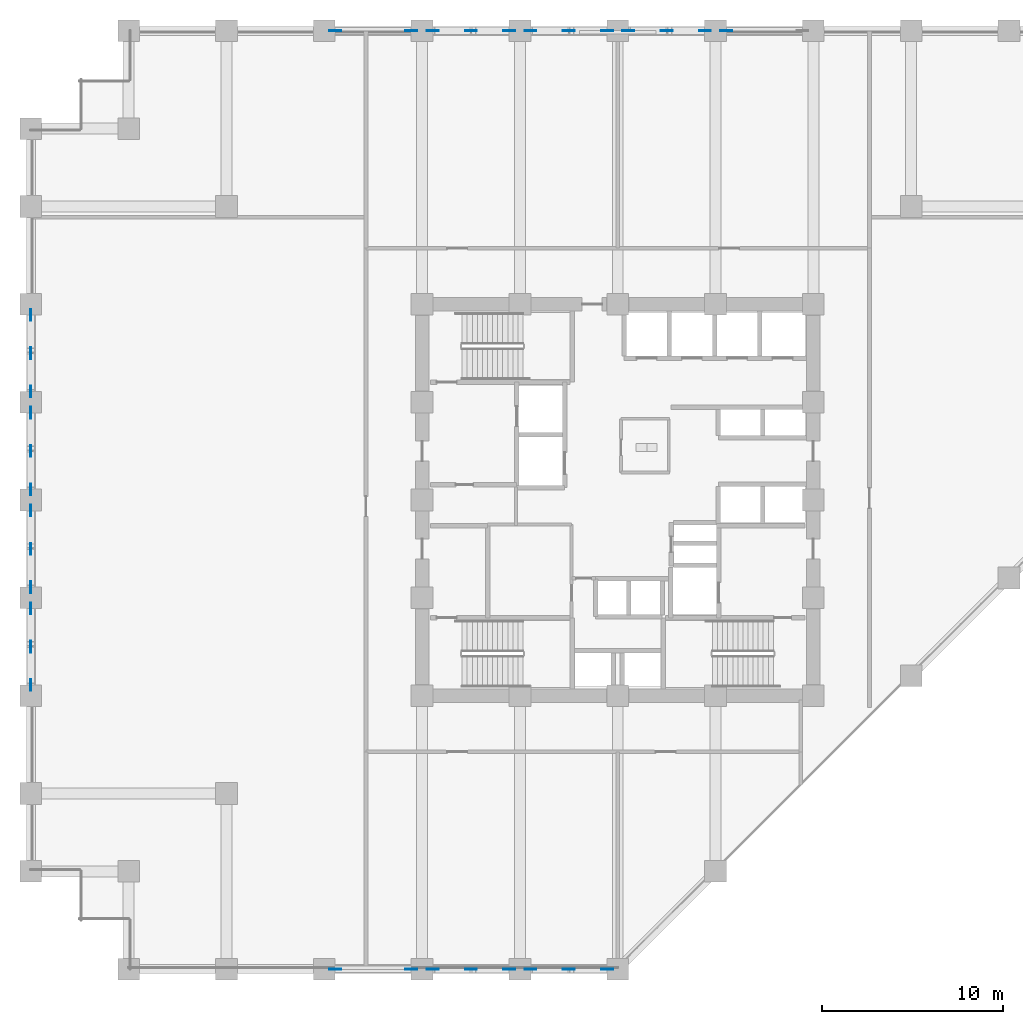
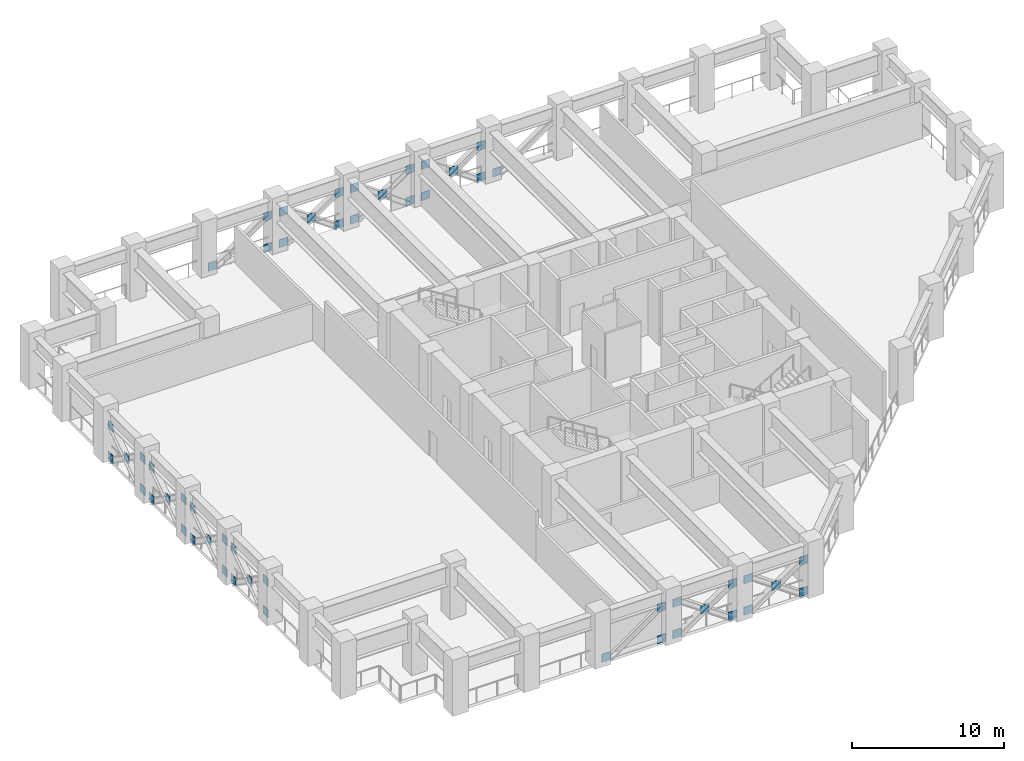
# One storey, part 3 of 12: 52 plates.
"""IFC4 building model written with IfcOpenShell, lengths in metres."""

from ifc_helpers import new_model, si_unit, direction, frame, origin, origin_2d, place, context, subcontext, project, spatial, rectangle, extrude, material, layer, layer_set, type_object, element, save


model = new_model("IFC4")

# Units and contexts
model_context = context("Model", 3, precision=1e-05, world=origin(), true_north=direction((0.0, 1.0)))
body_context = subcontext(model_context, "Body", "Model", "MODEL_VIEW")
ifc_project = project(units=[si_unit("LENGTHUNIT", "METRE"), si_unit("AREAUNIT", "SQUARE_METRE"), si_unit("VOLUMEUNIT", "CUBIC_METRE"), si_unit("PLANEANGLEUNIT", "RADIAN"), si_unit("MASSUNIT", "GRAM", prefix="KILO")], contexts=[model_context])

# Site, building, storey
site_placement = place(None, origin())
site = spatial("IfcSite", under=ifc_project, at=site_placement, CompositionType="ELEMENT")
building_placement = place(site_placement, origin())
building = spatial("IfcBuilding", under=site, at=building_placement, Name="Surkhivell Harbour Commons", CompositionType="ELEMENT")
storey_placement = place(building_placement, frame((0.0, 0.0, 78.75)))
storey = spatial("IfcBuildingStorey", under=building, at=storey_placement, Name="L20", CompositionType="ELEMENT", Elevation=78.75)

# Plates
ifc_material = material(Name="Steel S460", Category="steel")
ifc_layer = layer(ifc_material, 0.044921875)
ifc_layer_set = layer_set([ifc_layer], Name="Steel S460")
plate_type = type_object("IfcPlateType", Name="PLT-GUS-650", PredefinedType="USERDEFINED", material=ifc_layer_set)
for number, where, z_axis, x_axis, name in (
    (1, (-32.39990234375, -4.81494140625, -0.08935546875), (0.0, 0.0, 1.0), (0.0, 1.0, 0.0), "L20 Belt-Truss Diagonal BT- Corner Gusset BW1-1"),
    (2, (-32.39990234375, -0.5849609375, -0.08935546875), (0.0, 0.0, 1.0), (0.0, 1.0, 0.0), "L20 Belt-Truss Diagonal BT- Corner Gusset BW1-2"),
    (3, (-32.39990234375, -4.81494140625, 2.431640625), (0.0, 0.0, 1.0), (0.0, 1.0, 0.0), "L20 Belt-Truss Diagonal BT- Corner Gusset BW1-3"),
    (4, (-32.39990234375, -0.5849609375, 2.431640625), (0.0, 0.0, 1.0), (0.0, 1.0, 0.0), "L20 Belt-Truss Diagonal BT- Corner Gusset BW1-4"),
    (5, (-32.39990234375, -2.699951171875, 1.171142578125), (0.0, 0.0, 1.0), (0.0, 1.0, 0.0), "L20 Belt-Truss Diagonal BT- Central Crossing Gusset BW1"),
    (6, (-32.39990234375, 0.5849609375, -0.08935546875), (0.0, 0.0, 1.0), (0.0, 1.0, 0.0), "L20 Belt-Truss Diagonal BT- Corner Gusset BW2-1"),
    (7, (-32.39990234375, 4.81494140625, -0.08935546875), (0.0, 0.0, 1.0), (0.0, 1.0, 0.0), "L20 Belt-Truss Diagonal BT- Corner Gusset BW2-2"),
    (8, (-32.39990234375, 0.5849609375, 2.431640625), (0.0, 0.0, 1.0), (0.0, 1.0, 0.0), "L20 Belt-Truss Diagonal BT- Corner Gusset BW2-3"),
    (9, (-32.39990234375, 4.81494140625, 2.431640625), (0.0, 0.0, 1.0), (0.0, 1.0, 0.0), "L20 Belt-Truss Diagonal BT- Corner Gusset BW2-4"),
    (10, (-32.39990234375, 2.699951171875, 1.171142578125), (0.0, 0.0, 1.0), (0.0, 1.0, 0.0), "L20 Belt-Truss Diagonal BT- Central Crossing Gusset BW2"),
    (11, (-4.81494140625, 25.89990234375, -0.08935546875), (0.0, 0.0, 1.0), (1.0, 0.0, 0.0), "L20 Belt-Truss Diagonal BT- Corner Gusset BN1-1"),
    (12, (-0.5849609375, 25.89990234375, -0.08935546875), (0.0, 0.0, 1.0), (1.0, 0.0, 0.0), "L20 Belt-Truss Diagonal BT- Corner Gusset BN1-2"),
    (13, (-4.81494140625, 25.89990234375, 2.431640625), (0.0, 0.0, 1.0), (1.0, 0.0, 0.0), "L20 Belt-Truss Diagonal BT- Corner Gusset BN1-3"),
    (14, (-0.5849609375, 25.89990234375, 2.431640625), (0.0, 0.0, 1.0), (1.0, 0.0, 0.0), "L20 Belt-Truss Diagonal BT- Corner Gusset BN1-4"),
    (15, (-2.699951171875, 25.89990234375, 1.171142578125), (0.0, 0.0, 1.0), (1.0, 0.0, 0.0), "L20 Belt-Truss Diagonal BT- Central Crossing Gusset BN1"),
    (16, (0.5849609375, 25.89990234375, -0.08935546875), (0.0, 0.0, 1.0), (1.0, 0.0, 0.0), "L20 Belt-Truss Diagonal BT- Corner Gusset BN2-1"),
    (17, (4.81494140625, 25.89990234375, -0.08935546875), (0.0, 0.0, 1.0), (1.0, 0.0, 0.0), "L20 Belt-Truss Diagonal BT- Corner Gusset BN2-2"),
    (18, (0.5849609375, 25.89990234375, 2.431640625), (0.0, 0.0, 1.0), (1.0, 0.0, 0.0), "L20 Belt-Truss Diagonal BT- Corner Gusset BN2-3"),
    (19, (4.81494140625, 25.89990234375, 2.431640625), (0.0, 0.0, 1.0), (1.0, 0.0, 0.0), "L20 Belt-Truss Diagonal BT- Corner Gusset BN2-4"),
    (20, (2.699951171875, 25.89990234375, 1.171142578125), (0.0, 0.0, 1.0), (1.0, 0.0, 0.0), "L20 Belt-Truss Diagonal BT- Central Crossing Gusset BN2"),
    (21, (-10.215087890625, -25.89990234375, -0.08935546875), (0.0, 0.0, 1.0), (1.0, 0.0, 0.0), "L20 Belt-Truss Diagonal BT- Corner Gusset BS1-1"),
    (22, (-5.985107421875, -25.89990234375, -0.08935546875), (0.0, 0.0, 1.0), (1.0, 0.0, 0.0), "L20 Belt-Truss Diagonal BT- Corner Gusset BS1-2"),
    (23, (-10.215087890625, -25.89990234375, 2.431640625), (0.0, 0.0, 1.0), (1.0, 0.0, 0.0), "L20 Belt-Truss Diagonal BT- Corner Gusset BS1-3"),
    (24, (-5.985107421875, -25.89990234375, 2.431640625), (0.0, 0.0, 1.0), (1.0, 0.0, 0.0), "L20 Belt-Truss Diagonal BT- Corner Gusset BS1-4"),
    (25, (-8.10009765625, -25.89990234375, 1.171142578125), (0.0, 0.0, 1.0), (1.0, 0.0, 0.0), "L20 Belt-Truss Diagonal BT- Central Crossing Gusset BS1"),
    (26, (-4.81494140625, -25.89990234375, -0.08935546875), (0.0, 0.0, 1.0), (1.0, 0.0, 0.0), "L20 Belt-Truss Diagonal BT- Corner Gusset BS2-1"),
    (27, (-0.5849609375, -25.89990234375, -0.08935546875), (0.0, 0.0, 1.0), (1.0, 0.0, 0.0), "L20 Belt-Truss Diagonal BT- Corner Gusset BS2-2"),
    (28, (-4.81494140625, -25.89990234375, 2.431640625), (0.0, 0.0, 1.0), (1.0, 0.0, 0.0), "L20 Belt-Truss Diagonal BT- Corner Gusset BS2-3"),
    (29, (-0.5849609375, -25.89990234375, 2.431640625), (0.0, 0.0, 1.0), (1.0, 0.0, 0.0), "L20 Belt-Truss Diagonal BT- Corner Gusset BS2-4"),
    (30, (-2.699951171875, -25.89990234375, 1.171142578125), (0.0, 0.0, 1.0), (1.0, 0.0, 0.0), "L20 Belt-Truss Diagonal BT- Central Crossing Gusset BS2"),
    (31, (-10.215087890625, 25.89990234375, -0.08935546875), (0.0, 0.0, 1.0), (1.0, 0.0, 0.0), "L20 Belt-Truss Diagonal BT- Corner Gusset BN3-1"),
    (32, (-5.985107421875, 25.89990234375, -0.08935546875), (0.0, 0.0, 1.0), (1.0, 0.0, 0.0), "L20 Belt-Truss Diagonal BT- Corner Gusset BN3-2"),
    (33, (-10.215087890625, 25.89990234375, 2.431640625), (0.0, 0.0, 1.0), (1.0, 0.0, 0.0), "L20 Belt-Truss Diagonal BT- Corner Gusset BN3-3"),
    (34, (-5.985107421875, 25.89990234375, 2.431640625), (0.0, 0.0, 1.0), (1.0, 0.0, 0.0), "L20 Belt-Truss Diagonal BT- Corner Gusset BN3-4"),
    (35, (-8.10009765625, 25.89990234375, 1.171142578125), (0.0, 0.0, 1.0), (1.0, 0.0, 0.0), "L20 Belt-Truss Diagonal BT- Central Crossing Gusset BN3"),
    (36, (-32.39990234375, -10.215087890625, -0.08935546875), (0.0, 0.0, 1.0), (0.0, 1.0, 0.0), "L20 Belt-Truss Diagonal BT- Corner Gusset BW3-1"),
    (37, (-32.39990234375, -5.985107421875, -0.08935546875), (0.0, 0.0, 1.0), (0.0, 1.0, 0.0), "L20 Belt-Truss Diagonal BT- Corner Gusset BW3-2"),
    (38, (-32.39990234375, -10.215087890625, 2.431640625), (0.0, 0.0, 1.0), (0.0, 1.0, 0.0), "L20 Belt-Truss Diagonal BT- Corner Gusset BW3-3"),
    (39, (-32.39990234375, -5.985107421875, 2.431640625), (0.0, 0.0, 1.0), (0.0, 1.0, 0.0), "L20 Belt-Truss Diagonal BT- Corner Gusset BW3-4"),
    (40, (-32.39990234375, -8.10009765625, 1.171142578125), (0.0, 0.0, 1.0), (0.0, 1.0, 0.0), "L20 Belt-Truss Diagonal BT- Central Crossing Gusset BW3"),
    (41, (-32.39990234375, 5.985107421875, -0.08935546875), (0.0, 0.0, 1.0), (0.0, 1.0, 0.0), "L20 Belt-Truss Diagonal BT- Corner Gusset BW4-1"),
    (42, (-32.39990234375, 10.215087890625, -0.08935546875), (0.0, 0.0, 1.0), (0.0, 1.0, 0.0), "L20 Belt-Truss Diagonal BT- Corner Gusset BW4-2"),
    (43, (-32.39990234375, 5.985107421875, 2.431640625), (0.0, 0.0, 1.0), (0.0, 1.0, 0.0), "L20 Belt-Truss Diagonal BT- Corner Gusset BW4-3"),
    (44, (-32.39990234375, 10.215087890625, 2.431640625), (0.0, 0.0, 1.0), (0.0, 1.0, 0.0), "L20 Belt-Truss Diagonal BT- Corner Gusset BW4-4"),
    (45, (-32.39990234375, 8.10009765625, 1.171142578125), (0.0, 0.0, 1.0), (0.0, 1.0, 0.0), "L20 Belt-Truss Diagonal BT- Central Crossing Gusset BW4"),
    (46, (-15.60205078125, 25.89990234375, -0.094970703125), (0.0, 0.0, 1.0), (1.0, 0.0, 0.0), "L20 Outrigger Node Gusset Plate GP-02-1"),
    (47, (-11.39794921875, 25.89990234375, -0.094970703125), (0.0, 0.0, 1.0), (1.0, 0.0, 0.0), "L20 Outrigger Node Gusset Plate GP-02-2"),
    (48, (-11.39794921875, 25.89990234375, 2.441162109375), (0.0, 0.0, 1.0), (1.0, 0.0, 0.0), "L20 Outrigger Top Gusset Plate GP-02-3"),
    (49, (5.998046875, 25.89990234375, -0.094970703125), (0.0, 0.0, 1.0), (1.0, 0.0, 0.0), "L20 Outrigger Node Gusset Plate GP-04-1"),
    (50, (-15.60205078125, -25.89990234375, -0.094970703125), (0.0, 0.0, 1.0), (1.0, 0.0, 0.0), "L20 Outrigger Node Gusset Plate GP-06-1"),
    (51, (-11.39794921875, -25.89990234375, -0.094970703125), (0.0, 0.0, 1.0), (1.0, 0.0, 0.0), "L20 Outrigger Node Gusset Plate GP-06-2"),
    (52, (-11.39794921875, -25.89990234375, 2.441162109375), (0.0, 0.0, 1.0), (1.0, 0.0, 0.0), "L20 Outrigger Top Gusset Plate GP-06-3"),
):
    element("IfcPlate", number, at=place(storey_placement, frame(where, z_axis=z_axis, x_axis=x_axis)), inside=storey, type_object=plate_type, Name=name, ObjectType="GUSSET_PLATE", PredefinedType="USERDEFINED", context=body_context, shape_type="SweptSolid", body=[
        extrude(rectangle(XDim=0.64990234375, YDim=0.044921875, at=origin_2d()), origin(), (0.0, 0.0, 1.0), 0.64990234375),
    ])

save(model, "model.ifc")
